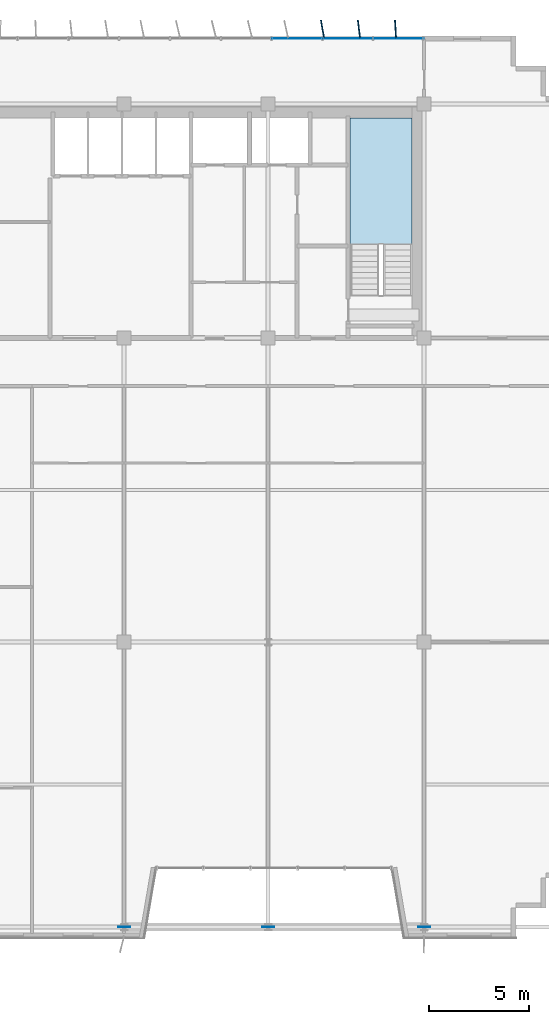
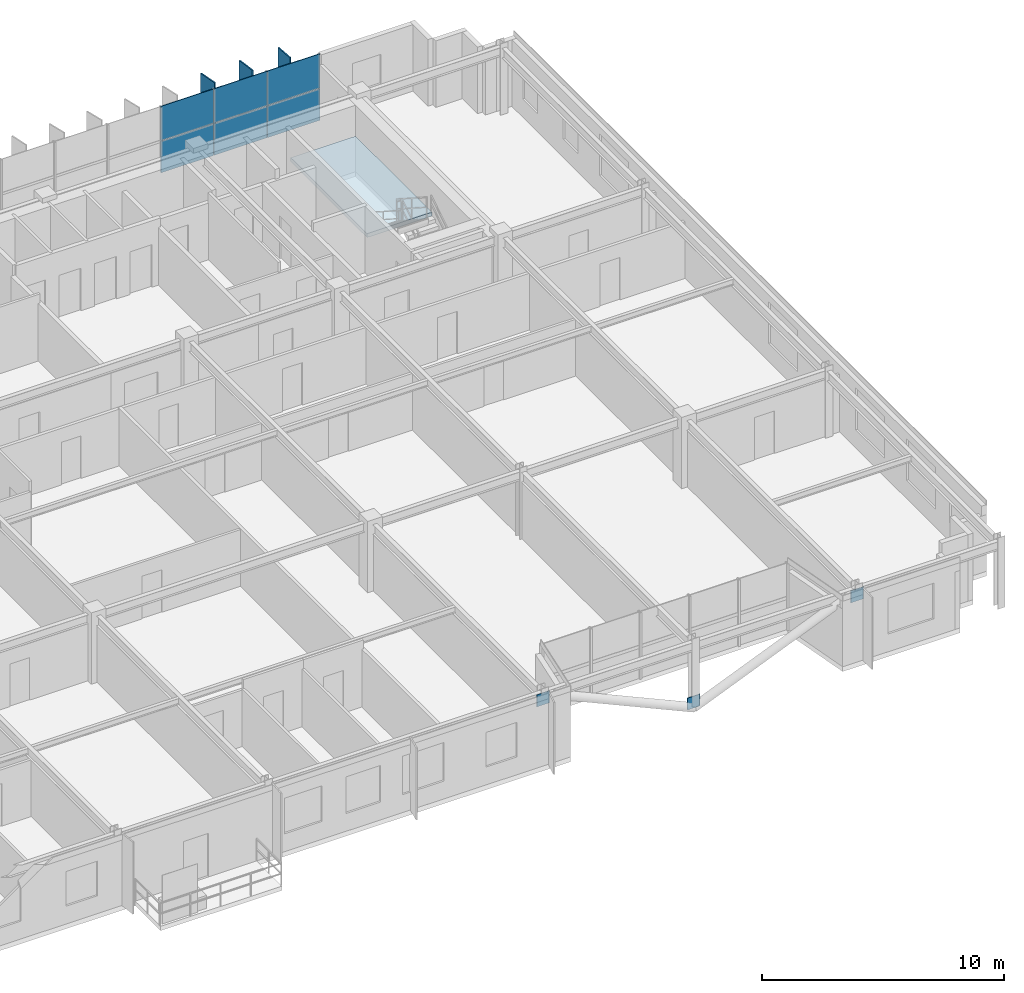
# One storey, part 20 of 27: 12 plates, 1 slab, 2 elements without a shape of their own.
"""IFC4 building model written with IfcOpenShell, lengths in metres."""

from ifc_helpers import new_model, si_unit, direction, frame, origin, origin_2d, place, context, subcontext, project, spatial, polyline, rectangle, outline, extrude, source, transform, mapped, material, layer, layer_set, type_object, element, aggregate, save


model = new_model("IFC4")

# Units and contexts
model_context = context("Model", 3, precision=1e-05, world=origin(), true_north=direction((0.0, 1.0)))
body_context = subcontext(model_context, "Body", "Model", "MODEL_VIEW")
ifc_project = project(units=[si_unit("LENGTHUNIT", "METRE"), si_unit("AREAUNIT", "SQUARE_METRE"), si_unit("VOLUMEUNIT", "CUBIC_METRE"), si_unit("PLANEANGLEUNIT", "RADIAN"), si_unit("MASSUNIT", "GRAM", prefix="KILO")], contexts=[model_context])

# Site, building, storey
site_placement = place(None, origin())
site = spatial("IfcSite", under=ifc_project, at=site_placement, CompositionType="ELEMENT")
building_placement = place(site_placement, origin())
building = spatial("IfcBuilding", under=site, at=building_placement, Name="Trelvane Seafront Commons", CompositionType="ELEMENT")
storey_placement = place(building_placement, frame((0.0, 0.0, 233.699951171875)))
storey = spatial("IfcBuildingStorey", under=building, at=storey_placement, Name="L61", CompositionType="ELEMENT", Elevation=233.699951171875)

# Stair, slab
ifc_material_1 = material(Name="Concrete C40/50", Category="concrete")
stair_type = type_object("IfcStairType", Name="ARCH-STR-ST-2-R20-180", PredefinedType="HALF_TURN_STAIR", material=ifc_material_1)
stair_placement = place(storey_placement, origin())
stair = element("IfcStair", 1, at=stair_placement, inside=storey, type_object=stair_type, Name="L61 East Protected Firefighting Exit Stair ST-2", PredefinedType="HALF_TURN_STAIR")
ifc_layer_1 = layer(ifc_material_1, 0.199951171875, Name="ARCH-LND-200")
ifc_layer_set_1 = layer_set([ifc_layer_1], Name="Concrete C40/50")
slab_type = type_object("IfcSlabType", Name="ARCH-LND-200", PredefinedType="LANDING", material=ifc_layer_set_1)
slab_placement = place(storey_placement, frame((0.0, 0.0, 1.60009765625)))
slab = element("IfcSlab", 2, at=slab_placement, type_object=slab_type, Name="ST-2 landing 1", PredefinedType="LANDING", context=body_context, shape_type="SweptSolid", body=[
    extrude(outline(polyline([(58.199951171875, 38.070068359375), (58.199951171875, 44.39990234375), (55.10009765625, 44.39990234375), (55.10009765625, 38.070068359375), (58.199951171875, 38.070068359375)])), origin(), (0.0, 0.0, 1.0), 0.199951171875),
])
aggregate(stair, [slab])

# Plates
ifc_material_2 = material(Name="Steel SM355 (S355)", Category="steel")
ifc_layer_2 = layer(ifc_material_2, 0.031982421875, Name="STR-PLT-GUS2")
ifc_layer_set_2 = layer_set([ifc_layer_2], Name="Steel SM355 (S355)")
plate_type_1 = type_object("IfcPlateType", Name="STR-PLT-GUS2", PredefinedType="SHEET", material=ifc_layer_set_2)
shared_shape_1 = source(origin(), body_context, "Body", "SweptSolid", [
    extrude(rectangle(XDim=0.60009765625, YDim=0.031982421875, at=origin_2d()), origin(), (0.0, 0.0, 1.0), 0.60009765625),
])
for number, where, z_axis, x_axis, name in (
    (3, (51.0, 3.949951171875, -0.02001953125), (0.0, 0.0, 1.0), (1.0, 0.0, 0.0), "L61 Brace Connection Gusset Plate GP-192"),
    (4, (43.800048828125, 3.949951171875, 2.659912109375), (0.0, 0.0, 1.0), (1.0, 0.0, 0.0), "L61 Brace Connection Gusset Plate GP-193"),
    (5, (58.800048828125, 3.949951171875, 2.659912109375), (0.0, 0.0, 1.0), (1.0, 0.0, 0.0), "L61 Brace Connection Gusset Plate GP-194"),
):
    element("IfcPlate", number, at=place(storey_placement, frame(where, z_axis=z_axis, x_axis=x_axis)), inside=storey, type_object=plate_type_1, Name=name, PredefinedType="SHEET", context=body_context, shape_type="MappedRepresentation", body=[
        mapped(shared_shape_1, transform((0.0, 0.0, 0.0), x_axis=(1.0, 0.0, 0.0), y_axis=(0.0, 1.0, 0.0), z_axis=(0.0, 0.0, 1.0), scale=1.0)),
    ])
ifc_material_3 = material(Name="Anodised pale-silver aluminium", Category="aluminium")
ifc_layer_3 = layer(ifc_material_3, 0.06005859375, Name="ARCH-PLATE-FIN900")
ifc_layer_set_3 = layer_set([ifc_layer_3], Name="Anodised pale-silver aluminium")
plate_type_2 = type_object("IfcPlateType", Name="ARCH-PLATE-FIN900", PredefinedType="USERDEFINED", material=ifc_layer_set_3)
shared_shape_2 = source(origin(), body_context, "Body", "SweptSolid", [
    extrude(rectangle(XDim=0.89990234375, YDim=0.06005859375, at=origin_2d()), origin(), (0.0, 0.0, 1.0), 3.639892578125),
])
for number, where, z_axis, x_axis, name in (
    (6, (53.72216796875, 48.84326171875, -0.02001953125), (0.0, 0.0, 1.0), (-0.173113601027, 0.98490186371, 0.0), "FIN-L61-01717"),
    (7, (55.545654296875, 48.8466796875, -0.02001953125), (0.0, 0.0, 1.0), (-0.120997939678, 0.992652758317, 0.0), "FIN-L61-01718"),
    (8, (57.373291015625, 48.84912109375, -0.02001953125), (0.0, 0.0, 1.0), (-0.059555514502, 0.998224995025, 0.0), "FIN-L61-01719"),
):
    element("IfcPlate", number, at=place(storey_placement, frame(where, z_axis=z_axis, x_axis=x_axis)), inside=storey, type_object=plate_type_2, Name=name, ObjectType="FIN", PredefinedType="USERDEFINED", context=body_context, shape_type="MappedRepresentation", body=[
        mapped(shared_shape_2, transform((0.0, 0.0, 0.0), x_axis=(1.0, 0.0, 0.0), y_axis=(0.0, 1.0, 0.0), z_axis=(0.0, 0.0, 1.0), scale=1.0)),
    ])

# Curtain wall, plates
curtain_wall_type = type_object("IfcCurtainWallType", Name="ARCH-CW5-UPTOWER", PredefinedType="NOTDEFINED", material=ifc_material_3)
curtain_wall_placement = place(storey_placement, origin())
curtain_wall = element("IfcCurtainWall", 9, at=curtain_wall_placement, inside=storey, type_object=curtain_wall_type, Name="CW-L61-0104", PredefinedType="NOTDEFINED")
ifc_material_4 = material(Name="Low-E coastal double glazing", Category="glass")
ifc_layer_4 = layer(ifc_material_4, 0.033935546875, Name="ARCH-CW-GLAZ-34")
ifc_layer_set_4 = layer_set([ifc_layer_4], Name="Low-E coastal double glazing")
plate_type_3 = type_object("IfcPlateType", Name="ARCH-CW-GLAZ-34", PredefinedType="CURTAIN_PANEL", material=ifc_layer_set_4)
shared_shape_3 = source(origin(), body_context, "Body", "SweptSolid", [
    extrude(rectangle(XDim=2.51708984375, YDim=0.033935546875, at=origin_2d()), origin(), (0.0, 0.0, 1.0), 1.594970703125),
])
plate_1_placement = place(storey_placement, frame((52.447021484375, 48.3701171875, 0.0), z_axis=(0.0, 0.0, 1.0), x_axis=(1.0, 0.0, 0.0)))
plate_1 = element("IfcPlate", 10, at=plate_1_placement, type_object=plate_type_3, Name="CW-L61-0104-P14-1", PredefinedType="CURTAIN_PANEL", context=body_context, shape_type="MappedRepresentation", body=[
    mapped(shared_shape_3, transform((0.0, 0.0, 0.0), x_axis=(1.0, 0.0, 0.0), y_axis=(0.0, 1.0, 0.0), z_axis=(0.0, 0.0, 1.0), scale=1.0)),
])
plate_2_placement = place(storey_placement, frame((54.98828125, 48.3701171875, 0.0), z_axis=(0.0, 0.0, 1.0), x_axis=(1.0, 0.0, 0.0)))
plate_2 = element("IfcPlate", 11, at=plate_2_placement, type_object=plate_type_3, Name="CW-L61-0104-P15-1", PredefinedType="CURTAIN_PANEL", context=body_context, shape_type="MappedRepresentation", body=[
    mapped(shared_shape_3, transform((0.0, 0.0, 0.0), x_axis=(1.0, 0.0, 0.0), y_axis=(0.0, 1.0, 0.0), z_axis=(0.0, 0.0, 1.0), scale=1.0)),
])
plate_3_placement = place(storey_placement, frame((57.529296875, 48.3701171875, 0.0), z_axis=(0.0, 0.0, 1.0), x_axis=(1.0, 0.0, 0.0)))
plate_3 = element("IfcPlate", 12, at=plate_3_placement, type_object=plate_type_3, Name="CW-L61-0104-P16-1", PredefinedType="CURTAIN_PANEL", context=body_context, shape_type="MappedRepresentation", body=[
    mapped(shared_shape_3, transform((0.0, 0.0, 0.0), x_axis=(1.0, 0.0, 0.0), y_axis=(0.0, 1.0, 0.0), z_axis=(0.0, 0.0, 1.0), scale=1.0)),
])
shared_shape_4 = source(origin(), body_context, "Body", "SweptSolid", [
    extrude(rectangle(XDim=2.51708984375, YDim=0.033935546875, at=origin_2d()), origin(), (0.0, 0.0, 1.0), 1.72900390625),
])
plate_4_placement = place(storey_placement, frame((52.447021484375, 48.3701171875, 1.631103515625), z_axis=(0.0, 0.0, 1.0), x_axis=(1.0, 0.0, 0.0)))
plate_4 = element("IfcPlate", 13, at=plate_4_placement, type_object=plate_type_3, Name="CW-L61-0104-P14-2", PredefinedType="CURTAIN_PANEL", context=body_context, shape_type="MappedRepresentation", body=[
    mapped(shared_shape_4, transform((0.0, 0.0, 0.0), x_axis=(1.0, 0.0, 0.0), y_axis=(0.0, 1.0, 0.0), z_axis=(0.0, 0.0, 1.0), scale=1.0)),
])
plate_5_placement = place(storey_placement, frame((54.98828125, 48.3701171875, 1.631103515625), z_axis=(0.0, 0.0, 1.0), x_axis=(1.0, 0.0, 0.0)))
plate_5 = element("IfcPlate", 14, at=plate_5_placement, type_object=plate_type_3, Name="CW-L61-0104-P15-2", PredefinedType="CURTAIN_PANEL", context=body_context, shape_type="MappedRepresentation", body=[
    mapped(shared_shape_4, transform((0.0, 0.0, 0.0), x_axis=(1.0, 0.0, 0.0), y_axis=(0.0, 1.0, 0.0), z_axis=(0.0, 0.0, 1.0), scale=1.0)),
])
plate_6_placement = place(storey_placement, frame((57.529296875, 48.3701171875, 1.631103515625), z_axis=(0.0, 0.0, 1.0), x_axis=(1.0, 0.0, 0.0)))
plate_6 = element("IfcPlate", 15, at=plate_6_placement, type_object=plate_type_3, Name="CW-L61-0104-P16-2", PredefinedType="CURTAIN_PANEL", context=body_context, shape_type="MappedRepresentation", body=[
    mapped(shared_shape_4, transform((0.0, 0.0, 0.0), x_axis=(1.0, 0.0, 0.0), y_axis=(0.0, 1.0, 0.0), z_axis=(0.0, 0.0, 1.0), scale=1.0)),
])
aggregate(curtain_wall, [plate_1, plate_4, plate_2, plate_5, plate_3, plate_6])

save(model, "model.ifc")
